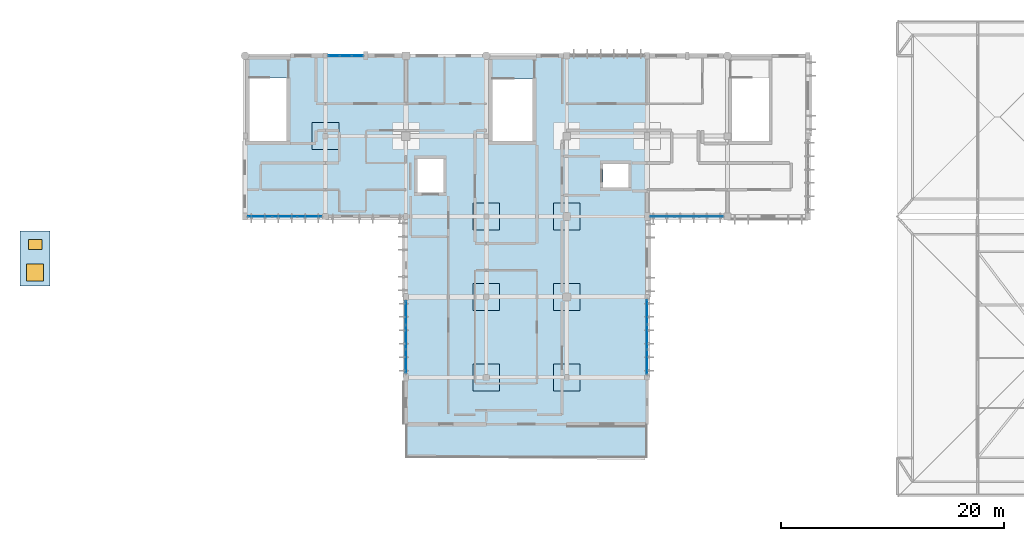
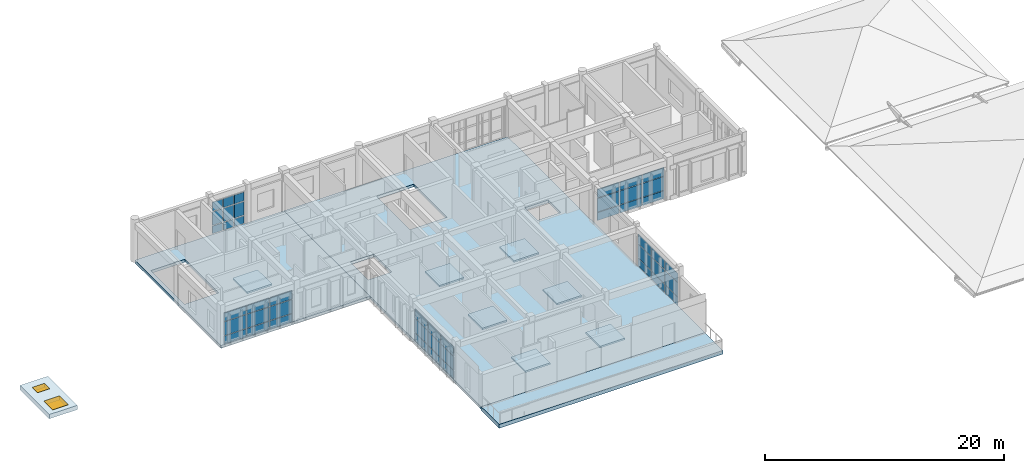
# One storey, part 11 of 19: 45 plates, 11 slabs, 1 door, 1 window, 2 openings, 5 elements without a shape of their own.
"""IFC4 building model written with IfcOpenShell, lengths in metres."""

from ifc_helpers import new_model, si_unit, direction, frame, origin, origin_2d, place, context, subcontext, project, spatial, polyline, rectangle, outline, extrude, material, layer, layer_set, type_object, element, fill, aggregate, save


model = new_model("IFC4")

# Units and contexts
model_context = context("Model", 3, precision=1e-05, world=origin(), true_north=direction((0.0, 1.0)))
body_context = subcontext(model_context, "Body", "Model", "MODEL_VIEW")
ifc_project = project(units=[si_unit("LENGTHUNIT", "METRE"), si_unit("AREAUNIT", "SQUARE_METRE"), si_unit("VOLUMEUNIT", "CUBIC_METRE"), si_unit("PLANEANGLEUNIT", "RADIAN"), si_unit("MASSUNIT", "GRAM", prefix="KILO")], contexts=[model_context])

# Site, building, storey
site_placement = place(None, origin())
site = spatial("IfcSite", under=ifc_project, at=site_placement, CompositionType="ELEMENT")
building_placement = place(site_placement, origin())
building = spatial("IfcBuilding", under=site, at=building_placement, Name="Steenspoor Specialist Clinic", CompositionType="ELEMENT")
storey_placement = place(building_placement, frame((0.0, 0.0, 21.60009765625)))
storey = spatial("IfcBuildingStorey", under=building, at=storey_placement, Name="L05", CompositionType="ELEMENT", Elevation=21.60009765625)

# Curtain wall, plates
ifc_material_1 = material(Name="Thermally broken aluminium and low-emissivity glass", Category="aluminium")
curtain_wall_type_1 = type_object("IfcCurtainWallType", Name="CW-TYP-480X355", PredefinedType="USERDEFINED", material=ifc_material_1)
curtain_wall_1_placement = place(storey_placement, origin())
curtain_wall_1 = element("IfcCurtainWall", 1, at=curtain_wall_1_placement, inside=storey, type_object=curtain_wall_type_1, Name="Unitised Curtain Wall CW-V4-L05-132", ObjectType="UNITISED GLAZING", PredefinedType="USERDEFINED")
ifc_material_2 = material(Name="Double low-emissivity insulated glass", Category="glass")
ifc_layer_1 = layer(ifc_material_2, 0.035888671875)
ifc_layer_set_1 = layer_set([ifc_layer_1], Name="Double low-emissivity insulated glass")
plate_type_1 = type_object("IfcPlateType", Name="CW-PAN-GL36", PredefinedType="CURTAIN_PANEL", material=ifc_layer_set_1)
plate_1_placement = place(storey_placement, frame((74.0, 80.99072265625, 0.06494140625), z_axis=(0.0, 0.0, 1.0), x_axis=(0.0, 1.0, 0.0)))
plate_1 = element("IfcPlate", 2, at=plate_1_placement, type_object=plate_type_1, Name="CW-12 panel 1.1", PredefinedType="CURTAIN_PANEL", context=body_context, shape_type="SweptSolid", body=[
    extrude(rectangle(XDim=2.07177734375, YDim=0.035888671875, at=origin_2d()), origin(), (0.0, 0.0, 1.0), 0.802490234375),
])
plate_2_placement = place(storey_placement, frame((74.0, 80.99072265625, 0.9326171875), z_axis=(0.0, 0.0, 1.0), x_axis=(0.0, 1.0, 0.0)))
plate_2 = element("IfcPlate", 3, at=plate_2_placement, type_object=plate_type_1, Name="CW-12 panel 1.2", PredefinedType="CURTAIN_PANEL", context=body_context, shape_type="SweptSolid", body=[
    extrude(rectangle(XDim=2.07177734375, YDim=0.035888671875, at=origin_2d()), origin(), (0.0, 0.0, 1.0), 1.385009765625),
])
plate_3_placement = place(storey_placement, frame((74.0, 80.99072265625, 2.38232421875), z_axis=(0.0, 0.0, 1.0), x_axis=(0.0, 1.0, 0.0)))
plate_3 = element("IfcPlate", 4, at=plate_3_placement, type_object=plate_type_1, Name="CW-12 panel 1.3", PredefinedType="CURTAIN_PANEL", context=body_context, shape_type="SweptSolid", body=[
    extrude(rectangle(XDim=2.07177734375, YDim=0.035888671875, at=origin_2d()), origin(), (0.0, 0.0, 1.0), 0.9326171875),
])
plate_4_placement = place(storey_placement, frame((74.0, 83.16259765625, 0.06494140625), z_axis=(0.0, 0.0, 1.0), x_axis=(0.0, 1.0, 0.0)))
plate_4 = element("IfcPlate", 5, at=plate_4_placement, type_object=plate_type_1, Name="CW-12 panel 2.1", PredefinedType="CURTAIN_PANEL", context=body_context, shape_type="SweptSolid", body=[
    extrude(rectangle(XDim=2.111572265625, YDim=0.035888671875, at=origin_2d()), origin(), (0.0, 0.0, 1.0), 0.802490234375),
])
plate_5_placement = place(storey_placement, frame((74.0, 83.16259765625, 0.9326171875), z_axis=(0.0, 0.0, 1.0), x_axis=(0.0, 1.0, 0.0)))
plate_5 = element("IfcPlate", 6, at=plate_5_placement, type_object=plate_type_1, Name="CW-12 panel 2.2", PredefinedType="CURTAIN_PANEL", context=body_context, shape_type="SweptSolid", body=[
    extrude(rectangle(XDim=2.111572265625, YDim=0.035888671875, at=origin_2d()), origin(), (0.0, 0.0, 1.0), 1.385009765625),
])
plate_6_placement = place(storey_placement, frame((74.0, 83.16259765625, 2.38232421875), z_axis=(0.0, 0.0, 1.0), x_axis=(0.0, 1.0, 0.0)))
plate_6 = element("IfcPlate", 7, at=plate_6_placement, type_object=plate_type_1, Name="CW-12 panel 2.3", PredefinedType="CURTAIN_PANEL", context=body_context, shape_type="SweptSolid", body=[
    extrude(rectangle(XDim=2.111572265625, YDim=0.035888671875, at=origin_2d()), origin(), (0.0, 0.0, 1.0), 0.9326171875),
])
plate_7_placement = place(storey_placement, frame((74.0, 85.334228515625, 0.06494140625), z_axis=(0.0, 0.0, 1.0), x_axis=(0.0, 1.0, 0.0)))
plate_7 = element("IfcPlate", 8, at=plate_7_placement, type_object=plate_type_1, Name="CW-12 panel 3.1", PredefinedType="CURTAIN_PANEL", context=body_context, shape_type="SweptSolid", body=[
    extrude(rectangle(XDim=2.07177734375, YDim=0.035888671875, at=origin_2d()), origin(), (0.0, 0.0, 1.0), 0.802490234375),
])
plate_8_placement = place(storey_placement, frame((74.0, 85.334228515625, 0.9326171875), z_axis=(0.0, 0.0, 1.0), x_axis=(0.0, 1.0, 0.0)))
plate_8 = element("IfcPlate", 9, at=plate_8_placement, type_object=plate_type_1, Name="CW-12 panel 3.2", PredefinedType="CURTAIN_PANEL", context=body_context, shape_type="SweptSolid", body=[
    extrude(rectangle(XDim=2.07177734375, YDim=0.035888671875, at=origin_2d()), origin(), (0.0, 0.0, 1.0), 1.385009765625),
])
plate_9_placement = place(storey_placement, frame((74.0, 85.334228515625, 2.38232421875), z_axis=(0.0, 0.0, 1.0), x_axis=(0.0, 1.0, 0.0)))
plate_9 = element("IfcPlate", 10, at=plate_9_placement, type_object=plate_type_1, Name="CW-12 panel 3.3", PredefinedType="CURTAIN_PANEL", context=body_context, shape_type="SweptSolid", body=[
    extrude(rectangle(XDim=2.07177734375, YDim=0.035888671875, at=origin_2d()), origin(), (0.0, 0.0, 1.0), 0.9326171875),
])
aggregate(curtain_wall_1, [plate_1, plate_2, plate_3, plate_4, plate_5, plate_6, plate_7, plate_8, plate_9])

curtain_wall_type_2 = type_object("IfcCurtainWallType", Name="CW-SCR-480X320", PredefinedType="USERDEFINED", material=ifc_material_1)
curtain_wall_2_placement = place(storey_placement, origin())
curtain_wall_2 = element("IfcCurtainWall", 11, at=curtain_wall_2_placement, inside=storey, type_object=curtain_wall_type_2, Name="Unitised Curtain Wall CW-V4-L05-138", ObjectType="UNITISED GLAZING", PredefinedType="USERDEFINED")
plate_10_placement = place(storey_placement, frame((95.60009765625, 85.40087890625, 0.059814453125), z_axis=(0.0, 0.0, 1.0), x_axis=(0.0, -1.0, 0.0)))
plate_10 = element("IfcPlate", 12, at=plate_10_placement, type_object=plate_type_1, Name="CW-18 panel 1.1", PredefinedType="CURTAIN_PANEL", context=body_context, shape_type="SweptSolid", body=[
    extrude(rectangle(XDim=2.138427734375, YDim=0.035888671875, at=origin_2d()), origin(), (0.0, 0.0, 1.0), 0.81005859375),
])
plate_11_placement = place(storey_placement, frame((95.60009765625, 85.40087890625, 0.93017578125), z_axis=(0.0, 0.0, 1.0), x_axis=(0.0, -1.0, 0.0)))
plate_11 = element("IfcPlate", 13, at=plate_11_placement, type_object=plate_type_1, Name="CW-18 panel 1.2", PredefinedType="CURTAIN_PANEL", context=body_context, shape_type="SweptSolid", body=[
    extrude(rectangle(XDim=2.138427734375, YDim=0.035888671875, at=origin_2d()), origin(), (0.0, 0.0, 1.0), 1.389892578125),
])
plate_12_placement = place(storey_placement, frame((95.60009765625, 85.40087890625, 2.3798828125), z_axis=(0.0, 0.0, 1.0), x_axis=(0.0, -1.0, 0.0)))
plate_12 = element("IfcPlate", 14, at=plate_12_placement, type_object=plate_type_1, Name="CW-18 panel 1.3", PredefinedType="CURTAIN_PANEL", context=body_context, shape_type="SweptSolid", body=[
    extrude(rectangle(XDim=2.138427734375, YDim=0.035888671875, at=origin_2d()), origin(), (0.0, 0.0, 1.0), 0.93994140625),
])
plate_13_placement = place(storey_placement, frame((95.60009765625, 83.16259765625, 0.059814453125), z_axis=(0.0, 0.0, 1.0), x_axis=(0.0, -1.0, 0.0)))
plate_13 = element("IfcPlate", 15, at=plate_13_placement, type_object=plate_type_1, Name="CW-18 panel 2.1", PredefinedType="CURTAIN_PANEL", context=body_context, shape_type="SweptSolid", body=[
    extrude(rectangle(XDim=2.17822265625, YDim=0.035888671875, at=origin_2d()), origin(), (0.0, 0.0, 1.0), 0.81005859375),
])
plate_14_placement = place(storey_placement, frame((95.60009765625, 83.16259765625, 0.93017578125), z_axis=(0.0, 0.0, 1.0), x_axis=(0.0, -1.0, 0.0)))
plate_14 = element("IfcPlate", 16, at=plate_14_placement, type_object=plate_type_1, Name="CW-18 panel 2.2", PredefinedType="CURTAIN_PANEL", context=body_context, shape_type="SweptSolid", body=[
    extrude(rectangle(XDim=2.17822265625, YDim=0.035888671875, at=origin_2d()), origin(), (0.0, 0.0, 1.0), 1.389892578125),
])
plate_15_placement = place(storey_placement, frame((95.60009765625, 83.16259765625, 2.3798828125), z_axis=(0.0, 0.0, 1.0), x_axis=(0.0, -1.0, 0.0)))
plate_15 = element("IfcPlate", 17, at=plate_15_placement, type_object=plate_type_1, Name="CW-18 panel 2.3", PredefinedType="CURTAIN_PANEL", context=body_context, shape_type="SweptSolid", body=[
    extrude(rectangle(XDim=2.17822265625, YDim=0.035888671875, at=origin_2d()), origin(), (0.0, 0.0, 1.0), 0.93994140625),
])
plate_16_placement = place(storey_placement, frame((95.60009765625, 80.924072265625, 0.059814453125), z_axis=(0.0, 0.0, 1.0), x_axis=(0.0, -1.0, 0.0)))
plate_16 = element("IfcPlate", 18, at=plate_16_placement, type_object=plate_type_1, Name="CW-18 panel 3.1", PredefinedType="CURTAIN_PANEL", context=body_context, shape_type="SweptSolid", body=[
    extrude(rectangle(XDim=2.138427734375, YDim=0.035888671875, at=origin_2d()), origin(), (0.0, 0.0, 1.0), 0.81005859375),
])
plate_17_placement = place(storey_placement, frame((95.60009765625, 80.924072265625, 0.93017578125), z_axis=(0.0, 0.0, 1.0), x_axis=(0.0, -1.0, 0.0)))
plate_17 = element("IfcPlate", 19, at=plate_17_placement, type_object=plate_type_1, Name="CW-18 panel 3.2", PredefinedType="CURTAIN_PANEL", context=body_context, shape_type="SweptSolid", body=[
    extrude(rectangle(XDim=2.138427734375, YDim=0.035888671875, at=origin_2d()), origin(), (0.0, 0.0, 1.0), 1.389892578125),
])
plate_18_placement = place(storey_placement, frame((95.60009765625, 80.924072265625, 2.3798828125), z_axis=(0.0, 0.0, 1.0), x_axis=(0.0, -1.0, 0.0)))
plate_18 = element("IfcPlate", 20, at=plate_18_placement, type_object=plate_type_1, Name="CW-18 panel 3.3", PredefinedType="CURTAIN_PANEL", context=body_context, shape_type="SweptSolid", body=[
    extrude(rectangle(XDim=2.138427734375, YDim=0.035888671875, at=origin_2d()), origin(), (0.0, 0.0, 1.0), 0.93994140625),
])
aggregate(curtain_wall_2, [plate_10, plate_11, plate_12, plate_13, plate_14, plate_15, plate_16, plate_17, plate_18])

curtain_wall_type_3 = type_object("IfcCurtainWallType", Name="CW-TYP-420X355", PredefinedType="USERDEFINED", material=ifc_material_1)
curtain_wall_3_placement = place(storey_placement, origin())
curtain_wall_3 = element("IfcCurtainWall", 21, at=curtain_wall_3_placement, inside=storey, type_object=curtain_wall_type_3, Name="Unitised Curtain Wall CW-V4-L05-133", ObjectType="UNITISED GLAZING", PredefinedType="USERDEFINED")
ifc_material_3 = material(Name="Triple acoustic laminated low-emissivity glass", Category="glass")
ifc_layer_2 = layer(ifc_material_3, 0.048095703125)
ifc_layer_set_2 = layer_set([ifc_layer_2], Name="Triple acoustic laminated low-emissivity glass")
plate_type_2 = type_object("IfcPlateType", Name="CW-PAN-GL48", PredefinedType="CURTAIN_PANEL", material=ifc_layer_set_2)
plate_19_placement = place(storey_placement, frame((65.388427734375, 93.949951171875, 0.059814453125), z_axis=(0.0, 0.0, 1.0), x_axis=(-1.0, 0.0, 0.0)))
plate_19 = element("IfcPlate", 22, at=plate_19_placement, type_object=plate_type_2, Name="CW-13 panel 1.1", PredefinedType="CURTAIN_PANEL", context=body_context, shape_type="SweptSolid", body=[
    extrude(rectangle(XDim=2.11328125, YDim=0.048095703125, at=origin_2d()), origin(), (0.0, 0.0, 1.0), 0.81005859375),
])
plate_20_placement = place(storey_placement, frame((65.388427734375, 93.949951171875, 0.93017578125), z_axis=(0.0, 0.0, 1.0), x_axis=(-1.0, 0.0, 0.0)))
plate_20 = element("IfcPlate", 23, at=plate_20_placement, type_object=plate_type_2, Name="CW-13 panel 1.2", PredefinedType="CURTAIN_PANEL", context=body_context, shape_type="SweptSolid", body=[
    extrude(rectangle(XDim=2.11328125, YDim=0.048095703125, at=origin_2d()), origin(), (0.0, 0.0, 1.0), 1.389892578125),
])
plate_21_placement = place(storey_placement, frame((65.388427734375, 93.949951171875, 2.3798828125), z_axis=(0.0, 0.0, 1.0), x_axis=(-1.0, 0.0, 0.0)))
plate_21 = element("IfcPlate", 24, at=plate_21_placement, type_object=plate_type_2, Name="CW-13 panel 1.3", PredefinedType="CURTAIN_PANEL", context=body_context, shape_type="SweptSolid", body=[
    extrude(rectangle(XDim=2.11328125, YDim=0.048095703125, at=origin_2d()), origin(), (0.0, 0.0, 1.0), 0.860107421875),
])
plate_22_placement = place(storey_placement, frame((63.175048828125, 93.949951171875, 0.059814453125), z_axis=(0.0, 0.0, 1.0), x_axis=(-1.0, 0.0, 0.0)))
plate_22 = element("IfcPlate", 25, at=plate_22_placement, type_object=plate_type_2, Name="CW-13 panel 2.1", PredefinedType="CURTAIN_PANEL", context=body_context, shape_type="SweptSolid", body=[
    extrude(rectangle(XDim=2.1533203125, YDim=0.048095703125, at=origin_2d()), origin(), (0.0, 0.0, 1.0), 0.81005859375),
])
plate_23_placement = place(storey_placement, frame((63.175048828125, 93.949951171875, 0.93017578125), z_axis=(0.0, 0.0, 1.0), x_axis=(-1.0, 0.0, 0.0)))
plate_23 = element("IfcPlate", 26, at=plate_23_placement, type_object=plate_type_2, Name="CW-13 panel 2.2", PredefinedType="CURTAIN_PANEL", context=body_context, shape_type="SweptSolid", body=[
    extrude(rectangle(XDim=2.1533203125, YDim=0.048095703125, at=origin_2d()), origin(), (0.0, 0.0, 1.0), 1.389892578125),
])
plate_24_placement = place(storey_placement, frame((63.175048828125, 93.949951171875, 2.3798828125), z_axis=(0.0, 0.0, 1.0), x_axis=(-1.0, 0.0, 0.0)))
plate_24 = element("IfcPlate", 27, at=plate_24_placement, type_object=plate_type_2, Name="CW-13 panel 2.3", PredefinedType="CURTAIN_PANEL", context=body_context, shape_type="SweptSolid", body=[
    extrude(rectangle(XDim=2.1533203125, YDim=0.048095703125, at=origin_2d()), origin(), (0.0, 0.0, 1.0), 0.860107421875),
])
plate_25_placement = place(storey_placement, frame((60.961669921875, 93.949951171875, 0.059814453125), z_axis=(0.0, 0.0, 1.0), x_axis=(-1.0, 0.0, 0.0)))
plate_25 = element("IfcPlate", 28, at=plate_25_placement, type_object=plate_type_2, Name="CW-13 panel 3.1", PredefinedType="CURTAIN_PANEL", context=body_context, shape_type="SweptSolid", body=[
    extrude(rectangle(XDim=2.11328125, YDim=0.048095703125, at=origin_2d()), origin(), (0.0, 0.0, 1.0), 0.81005859375),
])
plate_26_placement = place(storey_placement, frame((60.961669921875, 93.949951171875, 0.93017578125), z_axis=(0.0, 0.0, 1.0), x_axis=(-1.0, 0.0, 0.0)))
plate_26 = element("IfcPlate", 29, at=plate_26_placement, type_object=plate_type_2, Name="CW-13 panel 3.2", PredefinedType="CURTAIN_PANEL", context=body_context, shape_type="SweptSolid", body=[
    extrude(rectangle(XDim=2.11328125, YDim=0.048095703125, at=origin_2d()), origin(), (0.0, 0.0, 1.0), 1.389892578125),
])
plate_27_placement = place(storey_placement, frame((60.961669921875, 93.949951171875, 2.3798828125), z_axis=(0.0, 0.0, 1.0), x_axis=(-1.0, 0.0, 0.0)))
plate_27 = element("IfcPlate", 30, at=plate_27_placement, type_object=plate_type_2, Name="CW-13 panel 3.3", PredefinedType="CURTAIN_PANEL", context=body_context, shape_type="SweptSolid", body=[
    extrude(rectangle(XDim=2.11328125, YDim=0.048095703125, at=origin_2d()), origin(), (0.0, 0.0, 1.0), 0.860107421875),
])
aggregate(curtain_wall_3, [plate_19, plate_20, plate_21, plate_22, plate_23, plate_24, plate_25, plate_26, plate_27])

curtain_wall_type_4 = type_object("IfcCurtainWallType", Name="CW-TYP-360X355", PredefinedType="USERDEFINED", material=ifc_material_1)
curtain_wall_4_placement = place(storey_placement, origin())
curtain_wall_4 = element("IfcCurtainWall", 31, at=curtain_wall_4_placement, inside=storey, type_object=curtain_wall_type_4, Name="Unitised Curtain Wall CW-V4-L05-134", ObjectType="UNITISED GLAZING", PredefinedType="USERDEFINED")
ifc_material_4 = material(Name="Insulated glazed ceramic spandrel panel", Category="glass")
ifc_layer_3 = layer(ifc_material_4, 0.074951171875)
ifc_layer_set_3 = layer_set([ifc_layer_3], Name="Insulated glazed ceramic spandrel panel")
plate_type_3 = type_object("IfcPlateType", Name="CW-PAN-SP75", PredefinedType="CURTAIN_PANEL", material=ifc_layer_set_3)
plate_28_placement = place(storey_placement, frame((67.5732421875, 108.35009765625, 0.08984375), z_axis=(0.0, 0.0, 1.0), x_axis=(1.0, 0.0, 0.0)))
plate_28 = element("IfcPlate", 32, at=plate_28_placement, type_object=plate_type_3, Name="CW-14 panel 1.1", PredefinedType="CURTAIN_PANEL", context=body_context, shape_type="SweptSolid", body=[
    extrude(rectangle(XDim=0.956787109375, YDim=0.074951171875, at=origin_2d()), origin(), (0.0, 0.0, 1.0), 0.764892578125),
])
plate_29_placement = place(storey_placement, frame((67.5732421875, 108.35009765625, 0.94482421875), z_axis=(0.0, 0.0, 1.0), x_axis=(1.0, 0.0, 0.0)))
plate_29 = element("IfcPlate", 33, at=plate_29_placement, type_object=plate_type_3, Name="CW-14 panel 1.2", PredefinedType="CURTAIN_PANEL", context=body_context, shape_type="SweptSolid", body=[
    extrude(rectangle(XDim=0.956787109375, YDim=0.074951171875, at=origin_2d()), origin(), (0.0, 0.0, 1.0), 1.360107421875),
])
plate_30_placement = place(storey_placement, frame((67.5732421875, 108.35009765625, 2.394775390625), z_axis=(0.0, 0.0, 1.0), x_axis=(1.0, 0.0, 0.0)))
plate_30 = element("IfcPlate", 34, at=plate_30_placement, type_object=plate_type_3, Name="CW-14 panel 1.3", PredefinedType="CURTAIN_PANEL", context=body_context, shape_type="SweptSolid", body=[
    extrude(rectangle(XDim=0.956787109375, YDim=0.074951171875, at=origin_2d()), origin(), (0.0, 0.0, 1.0), 0.89501953125),
])
plate_31_placement = place(storey_placement, frame((68.617431640625, 108.35009765625, 0.08984375), z_axis=(0.0, 0.0, 1.0), x_axis=(1.0, 0.0, 0.0)))
plate_31 = element("IfcPlate", 35, at=plate_31_placement, type_object=plate_type_3, Name="CW-14 panel 2.1", PredefinedType="CURTAIN_PANEL", context=body_context, shape_type="SweptSolid", body=[
    extrude(rectangle(XDim=0.99169921875, YDim=0.074951171875, at=origin_2d()), origin(), (0.0, 0.0, 1.0), 0.764892578125),
])
plate_32_placement = place(storey_placement, frame((68.617431640625, 108.35009765625, 0.94482421875), z_axis=(0.0, 0.0, 1.0), x_axis=(1.0, 0.0, 0.0)))
plate_32 = element("IfcPlate", 36, at=plate_32_placement, type_object=plate_type_3, Name="CW-14 panel 2.2", PredefinedType="CURTAIN_PANEL", context=body_context, shape_type="SweptSolid", body=[
    extrude(rectangle(XDim=0.99169921875, YDim=0.074951171875, at=origin_2d()), origin(), (0.0, 0.0, 1.0), 1.360107421875),
])
plate_33_placement = place(storey_placement, frame((68.617431640625, 108.35009765625, 2.394775390625), z_axis=(0.0, 0.0, 1.0), x_axis=(1.0, 0.0, 0.0)))
plate_33 = element("IfcPlate", 37, at=plate_33_placement, type_object=plate_type_3, Name="CW-14 panel 2.3", PredefinedType="CURTAIN_PANEL", context=body_context, shape_type="SweptSolid", body=[
    extrude(rectangle(XDim=0.99169921875, YDim=0.074951171875, at=origin_2d()), origin(), (0.0, 0.0, 1.0), 0.89501953125),
])
plate_34_placement = place(storey_placement, frame((69.66162109375, 108.35009765625, 0.08984375), z_axis=(0.0, 0.0, 1.0), x_axis=(1.0, 0.0, 0.0)))
plate_34 = element("IfcPlate", 38, at=plate_34_placement, type_object=plate_type_3, Name="CW-14 panel 3.1", PredefinedType="CURTAIN_PANEL", context=body_context, shape_type="SweptSolid", body=[
    extrude(rectangle(XDim=0.956787109375, YDim=0.074951171875, at=origin_2d()), origin(), (0.0, 0.0, 1.0), 0.764892578125),
])
plate_35_placement = place(storey_placement, frame((69.66162109375, 108.35009765625, 0.94482421875), z_axis=(0.0, 0.0, 1.0), x_axis=(1.0, 0.0, 0.0)))
plate_35 = element("IfcPlate", 39, at=plate_35_placement, type_object=plate_type_3, Name="CW-14 panel 3.2", PredefinedType="CURTAIN_PANEL", context=body_context, shape_type="SweptSolid", body=[
    extrude(rectangle(XDim=0.956787109375, YDim=0.074951171875, at=origin_2d()), origin(), (0.0, 0.0, 1.0), 1.360107421875),
])
plate_36_placement = place(storey_placement, frame((69.66162109375, 108.35009765625, 2.394775390625), z_axis=(0.0, 0.0, 1.0), x_axis=(1.0, 0.0, 0.0)))
plate_36 = element("IfcPlate", 40, at=plate_36_placement, type_object=plate_type_3, Name="CW-14 panel 3.3", PredefinedType="CURTAIN_PANEL", context=body_context, shape_type="SweptSolid", body=[
    extrude(rectangle(XDim=0.956787109375, YDim=0.074951171875, at=origin_2d()), origin(), (0.0, 0.0, 1.0), 0.89501953125),
])
aggregate(curtain_wall_4, [plate_28, plate_29, plate_30, plate_31, plate_32, plate_33, plate_34, plate_35, plate_36])

curtain_wall_type_5 = type_object("IfcCurtainWallType", Name="CW-SCR-660X320", PredefinedType="USERDEFINED", material=ifc_material_1)
curtain_wall_5_placement = place(storey_placement, origin())
curtain_wall_5 = element("IfcCurtainWall", 41, at=curtain_wall_5_placement, inside=storey, type_object=curtain_wall_type_5, Name="Unitised Curtain Wall CW-V4-L05-137", ObjectType="UNITISED GLAZING", PredefinedType="USERDEFINED")
plate_37_placement = place(storey_placement, frame((101.348388671875, 93.949951171875, 0.06494140625), z_axis=(0.0, 0.0, 1.0), x_axis=(-1.0, 0.0, 0.0)))
plate_37 = element("IfcPlate", 42, at=plate_37_placement, type_object=plate_type_3, Name="CW-17 panel 1.1", PredefinedType="CURTAIN_PANEL", context=body_context, shape_type="SweptSolid", body=[
    extrude(rectangle(XDim=2.0732421875, YDim=0.074951171875, at=origin_2d()), origin(), (0.0, 0.0, 1.0), 0.802490234375),
])
plate_38_placement = place(storey_placement, frame((101.348388671875, 93.949951171875, 0.9326171875), z_axis=(0.0, 0.0, 1.0), x_axis=(-1.0, 0.0, 0.0)))
plate_38 = element("IfcPlate", 43, at=plate_38_placement, type_object=plate_type_3, Name="CW-17 panel 1.2", PredefinedType="CURTAIN_PANEL", context=body_context, shape_type="SweptSolid", body=[
    extrude(rectangle(XDim=2.0732421875, YDim=0.074951171875, at=origin_2d()), origin(), (0.0, 0.0, 1.0), 1.385009765625),
])
plate_39_placement = place(storey_placement, frame((101.348388671875, 93.949951171875, 2.38232421875), z_axis=(0.0, 0.0, 1.0), x_axis=(-1.0, 0.0, 0.0)))
plate_39 = element("IfcPlate", 44, at=plate_39_placement, type_object=plate_type_3, Name="CW-17 panel 1.3", PredefinedType="CURTAIN_PANEL", context=body_context, shape_type="SweptSolid", body=[
    extrude(rectangle(XDim=2.0732421875, YDim=0.074951171875, at=origin_2d()), origin(), (0.0, 0.0, 1.0), 0.8525390625),
])
plate_40_placement = place(storey_placement, frame((99.16259765625, 93.949951171875, 0.06494140625), z_axis=(0.0, 0.0, 1.0), x_axis=(-1.0, 0.0, 0.0)))
plate_40 = element("IfcPlate", 45, at=plate_40_placement, type_object=plate_type_3, Name="CW-17 panel 2.1", PredefinedType="CURTAIN_PANEL", context=body_context, shape_type="SweptSolid", body=[
    extrude(rectangle(XDim=2.118408203125, YDim=0.074951171875, at=origin_2d()), origin(), (0.0, 0.0, 1.0), 0.802490234375),
])
plate_41_placement = place(storey_placement, frame((99.16259765625, 93.949951171875, 0.9326171875), z_axis=(0.0, 0.0, 1.0), x_axis=(-1.0, 0.0, 0.0)))
plate_41 = element("IfcPlate", 46, at=plate_41_placement, type_object=plate_type_3, Name="CW-17 panel 2.2", PredefinedType="CURTAIN_PANEL", context=body_context, shape_type="SweptSolid", body=[
    extrude(rectangle(XDim=2.118408203125, YDim=0.074951171875, at=origin_2d()), origin(), (0.0, 0.0, 1.0), 1.385009765625),
])
plate_42_placement = place(storey_placement, frame((99.16259765625, 93.949951171875, 2.38232421875), z_axis=(0.0, 0.0, 1.0), x_axis=(-1.0, 0.0, 0.0)))
plate_42 = element("IfcPlate", 47, at=plate_42_placement, type_object=plate_type_3, Name="CW-17 panel 2.3", PredefinedType="CURTAIN_PANEL", context=body_context, shape_type="SweptSolid", body=[
    extrude(rectangle(XDim=2.118408203125, YDim=0.074951171875, at=origin_2d()), origin(), (0.0, 0.0, 1.0), 0.8525390625),
])
plate_43_placement = place(storey_placement, frame((96.9765625, 93.949951171875, 0.06494140625), z_axis=(0.0, 0.0, 1.0), x_axis=(-1.0, 0.0, 0.0)))
plate_43 = element("IfcPlate", 48, at=plate_43_placement, type_object=plate_type_3, Name="CW-17 panel 3.1", PredefinedType="CURTAIN_PANEL", context=body_context, shape_type="SweptSolid", body=[
    extrude(rectangle(XDim=2.0732421875, YDim=0.074951171875, at=origin_2d()), origin(), (0.0, 0.0, 1.0), 0.802490234375),
])
plate_44_placement = place(storey_placement, frame((96.9765625, 93.949951171875, 0.9326171875), z_axis=(0.0, 0.0, 1.0), x_axis=(-1.0, 0.0, 0.0)))
plate_44 = element("IfcPlate", 49, at=plate_44_placement, type_object=plate_type_3, Name="CW-17 panel 3.2", PredefinedType="CURTAIN_PANEL", context=body_context, shape_type="SweptSolid", body=[
    extrude(rectangle(XDim=2.0732421875, YDim=0.074951171875, at=origin_2d()), origin(), (0.0, 0.0, 1.0), 1.385009765625),
])
plate_45_placement = place(storey_placement, frame((96.9765625, 93.949951171875, 2.38232421875), z_axis=(0.0, 0.0, 1.0), x_axis=(-1.0, 0.0, 0.0)))
plate_45 = element("IfcPlate", 50, at=plate_45_placement, type_object=plate_type_3, Name="CW-17 panel 3.3", PredefinedType="CURTAIN_PANEL", context=body_context, shape_type="SweptSolid", body=[
    extrude(rectangle(XDim=2.0732421875, YDim=0.074951171875, at=origin_2d()), origin(), (0.0, 0.0, 1.0), 0.8525390625),
])
aggregate(curtain_wall_5, [plate_37, plate_38, plate_39, plate_40, plate_41, plate_42, plate_43, plate_44, plate_45])

# Slab, openings, door, window
ifc_material_5 = material(Name="Concrete C35/45", Category="concrete")
ifc_layer_4 = layer(ifc_material_5, 0.219970703125)
ifc_layer_set_4 = layer_set([ifc_layer_4], Name="Concrete C35/45")
slab_type_1 = type_object("IfcSlabType", Name="SL-CURB-220", PredefinedType="ROOF", material=ifc_layer_set_4)
slab_1_placement = place(storey_placement, frame((0.0, 0.0, 3.33984375)))
slab_1 = element("IfcSlab", 51, at=slab_1_placement, inside=storey, type_object=slab_type_1, Name="Roof Skylight Curb Slab V5", PredefinedType="ROOF", context=body_context, shape_type="SweptSolid", body=[
    extrude(outline(polyline([(39.449951171875, 87.75), (39.449951171875, 92.64990234375), (42.14990234375, 92.64990234375), (42.14990234375, 87.75), (39.449951171875, 87.75)]), holes=[polyline([(41.550048828125, 88.199951171875), (41.550048828125, 89.699951171875), (40.050048828125, 89.699951171875), (40.050048828125, 88.199951171875), (41.550048828125, 88.199951171875)]), polyline([(41.39990234375, 91.0), (41.39990234375, 91.89990234375), (40.199951171875, 91.89990234375), (40.199951171875, 91.0), (41.39990234375, 91.0)])]), origin(), (0.0, 0.0, 1.0), 0.43994140625),
])
opening_1_placement = place(slab_1_placement, frame((40.800048828125, 88.949951171875, -0.010009765625)))
opening_1 = element("IfcOpeningElement", 52, at=opening_1_placement, cuts=slab_1, Name="Opening SK-02", PredefinedType="OPENING", context=body_context, shape_type="SweptSolid", body=[
    extrude(rectangle(XDim=1.5, YDim=1.5, at=origin_2d()), origin(), (0.0, 0.0, 1.0), 0.4599609375),
])
opening_2_placement = place(slab_1_placement, frame((40.800048828125, 91.449951171875, -0.010009765625)))
opening_2 = element("IfcOpeningElement", 53, at=opening_2_placement, cuts=slab_1, Name="Opening HT06", PredefinedType="OPENING", context=body_context, shape_type="SweptSolid", body=[
    extrude(rectangle(XDim=1.199951171875, YDim=0.89990234375, at=origin_2d()), origin(), (0.0, 0.0, 1.0), 0.4599609375),
])
ifc_material_6 = material(Name="Insulated aluminium roof hatch", Category="aluminium")
door_type = type_object("IfcDoorType", Name="DT-HATCH-090X120", OperationType="NOTDEFINED", PredefinedType="TRAPDOOR", material=ifc_material_6)
door_placement = place(slab_1_placement, frame((40.800048828125, 91.449951171875, 0.3798828125)))
door = element("IfcDoor", 54, at=door_placement, inside=storey, type_object=door_type, Name="Roof Access Hatch HT06", OperationType="SINGLE_SWING_LEFT", OverallHeight=0.89990234375, OverallWidth=1.199951171875, PredefinedType="TRAPDOOR", context=body_context, shape_type="SweptSolid", body=[
    extrude(rectangle(XDim=1.199951171875, YDim=0.89990234375, at=origin_2d()), origin(), (0.0, 0.0, 1.0), 0.06005859375),
])
fill(opening_2, door)
window_type = type_object("IfcWindowType", Name="SK-ROOF-150X150", PartitioningType="SINGLE_PANEL", PredefinedType="SKYLIGHT", material=ifc_material_1)
window_placement = place(slab_1_placement, frame((40.800048828125, 88.949951171875, 0.3798828125)))
window = element("IfcWindow", 55, at=window_placement, inside=storey, type_object=window_type, Name="Roof Skylight V5 6", OverallHeight=1.5, OverallWidth=1.5, PartitioningType="SINGLE_PANEL", PredefinedType="SKYLIGHT", context=body_context, shape_type="SweptSolid", body=[
    extrude(rectangle(XDim=1.5, YDim=1.5, at=origin_2d()), origin(), (0.0, 0.0, 1.0), 0.06005859375),
])
fill(opening_1, window)

# Slabs
ifc_layer_5 = layer(ifc_material_5, 0.169921875)
ifc_layer_set_5 = layer_set([ifc_layer_5], Name="Concrete C35/45")
slab_type_2 = type_object("IfcSlabType", Name="SL-DROP-170", PredefinedType="USERDEFINED", material=ifc_layer_set_5)
slab_2_placement = place(storey_placement, frame((0.0, 0.0, -0.4501953125)))
element("IfcSlab", 56, at=slab_2_placement, inside=storey, type_object=slab_type_2, Name="Column Drop Panel DROP-V4-L05-084", ObjectType="DROP PANEL", PredefinedType="USERDEFINED", context=body_context, shape_type="SweptSolid", body=[
    extrude(outline(polyline([(68.0, 99.949951171875), (68.0, 102.35009765625), (65.60009765625, 102.35009765625), (65.60009765625, 99.949951171875), (68.0, 99.949951171875)])), origin(), (0.0, 0.0, 1.0), 0.170166015625),
])
slab_3_placement = place(storey_placement, frame((0.0, 0.0, -0.4501953125)))
element("IfcSlab", 57, at=slab_3_placement, inside=storey, type_object=slab_type_2, Name="Column Drop Panel DROP-V4-L05-086", ObjectType="DROP PANEL", PredefinedType="USERDEFINED", context=body_context, shape_type="SweptSolid", body=[
    extrude(outline(polyline([(82.39990234375, 78.35009765625), (82.39990234375, 80.75), (80.0, 80.75), (80.0, 78.35009765625), (82.39990234375, 78.35009765625)])), origin(), (0.0, 0.0, 1.0), 0.170166015625),
])
slab_4_placement = place(storey_placement, frame((0.0, 0.0, -0.4501953125)))
element("IfcSlab", 58, at=slab_4_placement, inside=storey, type_object=slab_type_2, Name="Column Drop Panel DROP-V4-L05-087", ObjectType="DROP PANEL", PredefinedType="USERDEFINED", context=body_context, shape_type="SweptSolid", body=[
    extrude(outline(polyline([(82.39990234375, 85.550048828125), (82.39990234375, 87.949951171875), (80.0, 87.949951171875), (80.0, 85.550048828125), (82.39990234375, 85.550048828125)])), origin(), (0.0, 0.0, 1.0), 0.170166015625),
])
slab_5_placement = place(storey_placement, frame((0.0, 0.0, -0.4501953125)))
element("IfcSlab", 59, at=slab_5_placement, inside=storey, type_object=slab_type_2, Name="Column Drop Panel DROP-V4-L05-088", ObjectType="DROP PANEL", PredefinedType="USERDEFINED", context=body_context, shape_type="SweptSolid", body=[
    extrude(outline(polyline([(82.39990234375, 92.75), (82.39990234375, 95.14990234375), (80.0, 95.14990234375), (80.0, 92.75), (82.39990234375, 92.75)])), origin(), (0.0, 0.0, 1.0), 0.170166015625),
])
slab_6_placement = place(storey_placement, frame((0.0, 0.0, -0.4501953125)))
element("IfcSlab", 60, at=slab_6_placement, inside=storey, type_object=slab_type_2, Name="Column Drop Panel DROP-V4-L05-089", ObjectType="DROP PANEL", PredefinedType="USERDEFINED", context=body_context, shape_type="SweptSolid", body=[
    extrude(outline(polyline([(89.60009765625, 78.35009765625), (89.60009765625, 80.75), (87.199951171875, 80.75), (87.199951171875, 78.35009765625), (89.60009765625, 78.35009765625)])), origin(), (0.0, 0.0, 1.0), 0.170166015625),
])
slab_7_placement = place(storey_placement, frame((0.0, 0.0, -0.4501953125)))
element("IfcSlab", 61, at=slab_7_placement, inside=storey, type_object=slab_type_2, Name="Column Drop Panel DROP-V4-L05-090", ObjectType="DROP PANEL", PredefinedType="USERDEFINED", context=body_context, shape_type="SweptSolid", body=[
    extrude(outline(polyline([(89.60009765625, 85.550048828125), (89.60009765625, 87.949951171875), (87.199951171875, 87.949951171875), (87.199951171875, 85.550048828125), (89.60009765625, 85.550048828125)])), origin(), (0.0, 0.0, 1.0), 0.170166015625),
])
slab_8_placement = place(storey_placement, frame((0.0, 0.0, -0.4501953125)))
element("IfcSlab", 62, at=slab_8_placement, inside=storey, type_object=slab_type_2, Name="Column Drop Panel DROP-V4-L05-091", ObjectType="DROP PANEL", PredefinedType="USERDEFINED", context=body_context, shape_type="SweptSolid", body=[
    extrude(outline(polyline([(89.60009765625, 92.75), (89.60009765625, 95.14990234375), (87.199951171875, 95.14990234375), (87.199951171875, 92.75), (89.60009765625, 92.75)])), origin(), (0.0, 0.0, 1.0), 0.170166015625),
])
ifc_layer_6 = layer(ifc_material_5, 0.3798828125)
ifc_layer_set_6 = layer_set([ifc_layer_6], Name="Concrete C35/45")
slab_type_3 = type_object("IfcSlabType", Name="SL-GARDEN-380", PredefinedType="FLOOR", material=ifc_layer_set_6)
slab_9_placement = place(storey_placement, frame((0.0, 0.0, -0.380126953125)))
element("IfcSlab", 63, at=slab_9_placement, inside=storey, type_object=slab_type_3, Name="Planted Roof Terrace Slab TERR-V4-L05-01", PredefinedType="FLOOR", context=body_context, shape_type="SweptSolid", body=[
    extrude(outline(polyline([(95.60009765625, 72.35009765625), (95.60009765625, 75.35009765625), (74.0, 75.35009765625), (74.0, 72.35009765625), (95.60009765625, 72.35009765625)])), origin(), (0.0, 0.0, 1.0), 0.380126953125),
])
ifc_layer_7 = layer(ifc_material_5, 0.280029296875)
ifc_layer_set_7 = layer_set([ifc_layer_7], Name="Concrete C35/45")
slab_type_4 = type_object("IfcSlabType", Name="SL-HEAVY-280", PredefinedType="FLOOR", material=ifc_layer_set_7)
slab_10_placement = place(storey_placement, frame((0.0, 0.0, -0.280029296875)))
element("IfcSlab", 64, at=slab_10_placement, inside=storey, type_object=slab_type_4, Name="Structural Slab SLAB-V4-L05-032", PredefinedType="FLOOR", context=body_context, shape_type="SweptSolid", body=[
    extrude(outline(polyline([(59.60009765625, 93.949951171875), (59.60009765625, 108.35009765625), (74.0, 108.35009765625), (74.0, 93.949951171875), (59.60009765625, 93.949951171875)]), holes=[polyline([(60.0, 100.699951171875), (63.300048828125, 100.699951171875), (63.300048828125, 106.35009765625), (60.0, 106.35009765625), (60.0, 100.699951171875)])]), origin(), (0.0, 0.0, 1.0), 0.280029296875),
])
slab_11_placement = place(storey_placement, frame((0.0, 0.0, -0.280029296875)))
element("IfcSlab", 65, at=slab_11_placement, inside=storey, type_object=slab_type_4, Name="Structural Slab SLAB-V4-L05-033", PredefinedType="FLOOR", context=body_context, shape_type="SweptSolid", body=[
    extrude(outline(polyline([(74.0, 93.949951171875), (74.0, 108.35009765625), (95.60009765625, 108.35009765625), (95.60009765625, 93.949951171875), (95.60009765625, 75.35009765625), (74.0, 75.35009765625), (74.0, 93.949951171875)]), holes=[polyline([(77.35009765625, 96.10009765625), (77.35009765625, 99.10009765625), (75.050048828125, 99.10009765625), (75.050048828125, 96.10009765625), (77.35009765625, 96.10009765625)]), polyline([(93.925048828125, 96.550048828125), (93.925048828125, 98.64990234375), (91.675048828125, 98.64990234375), (91.675048828125, 96.550048828125), (93.925048828125, 96.550048828125)]), polyline([(85.35009765625, 100.699951171875), (85.35009765625, 106.280029296875), (81.75, 106.280029296875), (81.75, 100.699951171875), (85.35009765625, 100.699951171875)])]), origin(), (0.0, 0.0, 1.0), 0.280029296875),
])

save(model, "model.ifc")
